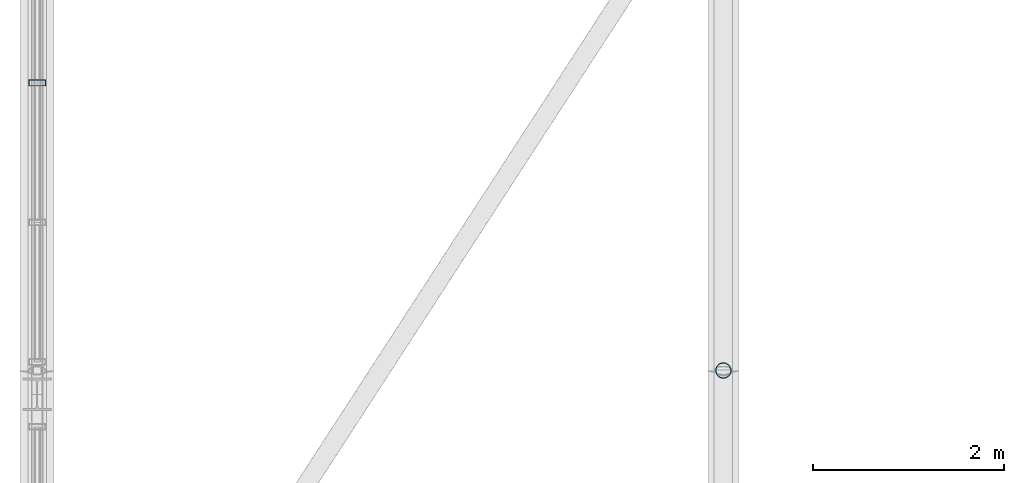
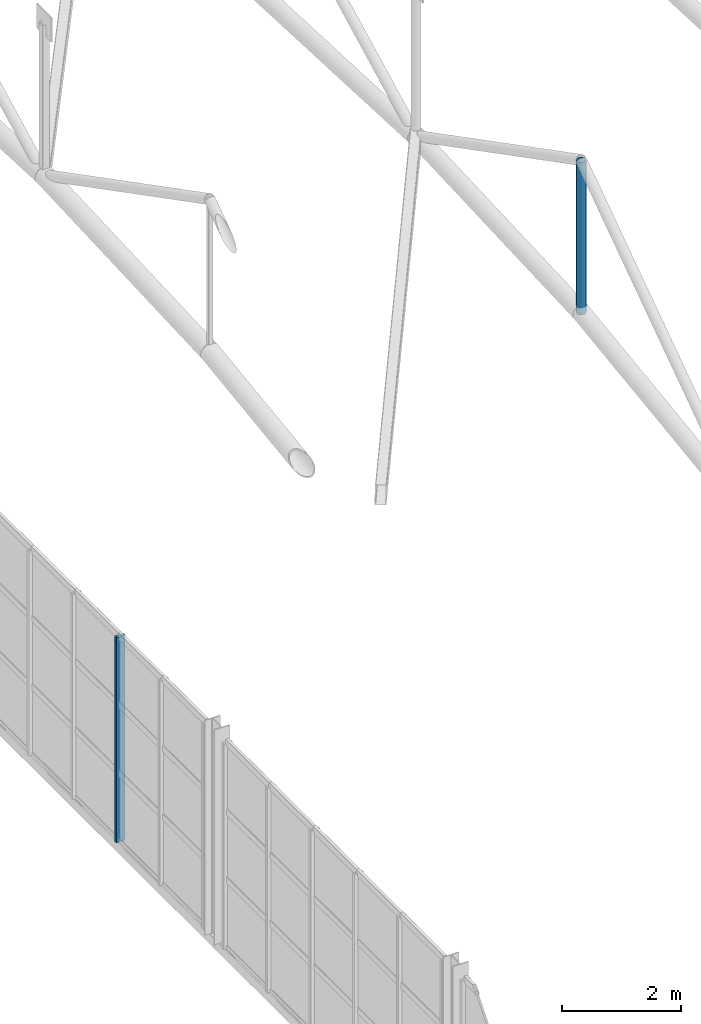
# One storey, part 31 of 153: 2 members, 1 element without a shape of its own.
"""IFC4 building model written with IfcOpenShell, lengths in metres."""

from ifc_helpers import new_model, si_unit, derived_unit, direction, frame, origin, origin_2d, place, context, subcontext, project, spatial, hollow_rectangle, hollow_circle, extrude, material, material_profile, profile_set, type_object, element, aggregate, save


model = new_model("IFC4")

# Units and contexts
model_context = context("Model", 3, precision=1e-05, world=origin(), true_north=direction((0.0, 1.0)))
body_context = subcontext(model_context, "Body", "Model", "MODEL_VIEW")
ifc_project = project(units=[si_unit("LENGTHUNIT", "METRE"), si_unit("AREAUNIT", "SQUARE_METRE"), si_unit("VOLUMEUNIT", "CUBIC_METRE"), si_unit("PLANEANGLEUNIT", "RADIAN"), si_unit("MASSUNIT", "GRAM", prefix="KILO"), derived_unit("THERMALTRANSMITTANCEUNIT", [(si_unit("POWERUNIT", "WATT"), 1), (si_unit("LENGTHUNIT", "METRE"), -2), (si_unit("THERMODYNAMICTEMPERATUREUNIT", "KELVIN"), -1)])], contexts=[model_context])

# Site, building, storey
site_placement = place(None, origin())
site = spatial("IfcSite", under=ifc_project, at=site_placement, CompositionType="ELEMENT")
building_placement = place(site_placement, origin())
building = spatial("IfcBuilding", under=site, at=building_placement, Name="Keldorne Ridge Multi-Sports Centre", CompositionType="ELEMENT")
storey_placement = place(building_placement, frame((0.0, 0.0, 9.60009765625)))
storey = spatial("IfcBuildingStorey", under=building, at=storey_placement, Name="L02", CompositionType="ELEMENT", Elevation=9.60009765625)

# Curtain wall, member
ifc_material_1 = material(Name="Anodized aluminium", Category="aluminium")
curtain_wall_type = type_object("IfcCurtainWallType", Name="CW-CW-07", PredefinedType="NOTDEFINED", material=ifc_material_1)
curtain_wall_placement = place(storey_placement, origin())
curtain_wall = element("IfcCurtainWall", 1, at=curtain_wall_placement, inside=storey, type_object=curtain_wall_type, Name="Main Hall west high gable glazing 031", PredefinedType="NOTDEFINED")
ifc_material_profile_1 = material_profile(ifc_material_1, hollow_rectangle(XDim=0.06494140625, YDim=0.179931640625, WallThickness=0.00439453125, InnerFilletRadius=0.00439453125, OuterFilletRadius=0.009033203125, at=origin_2d()), Name="ALU MULLION 180x65x4.5")
ifc_profile_set_1 = profile_set([ifc_material_profile_1], Name="Anodized aluminium")
member_type_1 = type_object("IfcMemberType", Name="MEM-ML-01", PredefinedType="MULLION", material=ifc_profile_set_1)
member_1_placement = place(storey_placement, frame((6.0, 29.26806640625, 0.0), z_axis=(0.0, 0.0, 1.0), x_axis=(0.0, 1.0, 0.0)))
member_1 = element("IfcMember", 2, at=member_1_placement, type_object=member_type_1, Name="CW-031 vertical mullion 4", PredefinedType="MULLION", context=body_context, shape_type="SweptSolid", body=[
    extrude(hollow_rectangle(XDim=0.06494140625, YDim=0.179931640625, WallThickness=0.00439453125, InnerFilletRadius=0.00439453125, OuterFilletRadius=0.009033203125, at=origin_2d()), origin(), (0.0, 0.0, 1.0), 4.199951171875),
])
aggregate(curtain_wall, [member_1])

# Member
ifc_material_2 = material(Name="Steel S355", Category="steel")
ifc_material_profile_2 = material_profile(ifc_material_2, hollow_circle(Radius=0.084228515625, WallThickness=0.010009765625, at=origin_2d()), Name="CHS 168.3x10")
ifc_profile_set_2 = profile_set([ifc_material_profile_2], Name="Steel S355")
member_type_2 = type_object("IfcMemberType", Name="MEM-TV-01", PredefinedType="STRUT", material=ifc_profile_set_2)
member_2_placement = place(storey_placement, frame((13.199951171875, 26.25, 10.1298828125), z_axis=(0.0, 0.0, 1.0), x_axis=(1.0, 0.0, 0.0)))
element("IfcMember", 3, at=member_2_placement, inside=storey, type_object=member_type_2, Name="Main Hall ROOF TRUSS AT-02 vertical 4", PredefinedType="STRUT", context=body_context, shape_type="SweptSolid", body=[
    extrude(hollow_circle(Radius=0.084228515625, WallThickness=0.010009765625, at=origin_2d()), origin(), (0.0, 0.0, 1.0), 3.1201171875),
])

save(model, "model.ifc")
